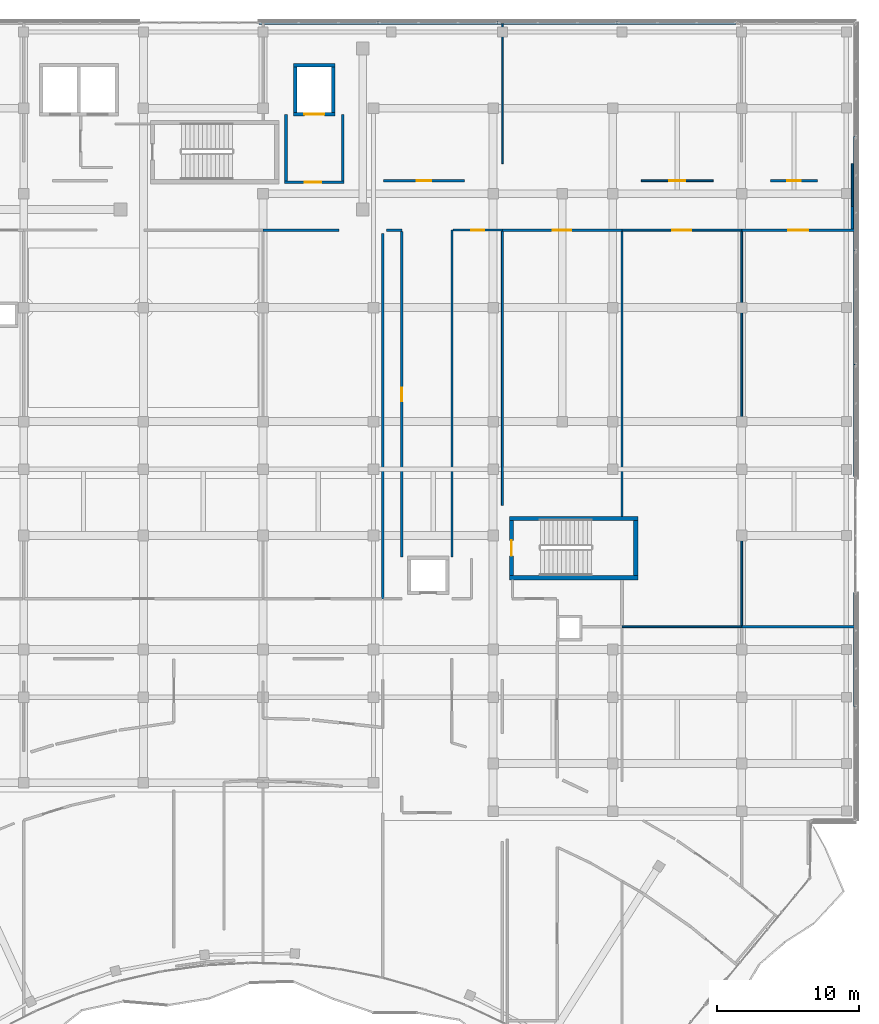
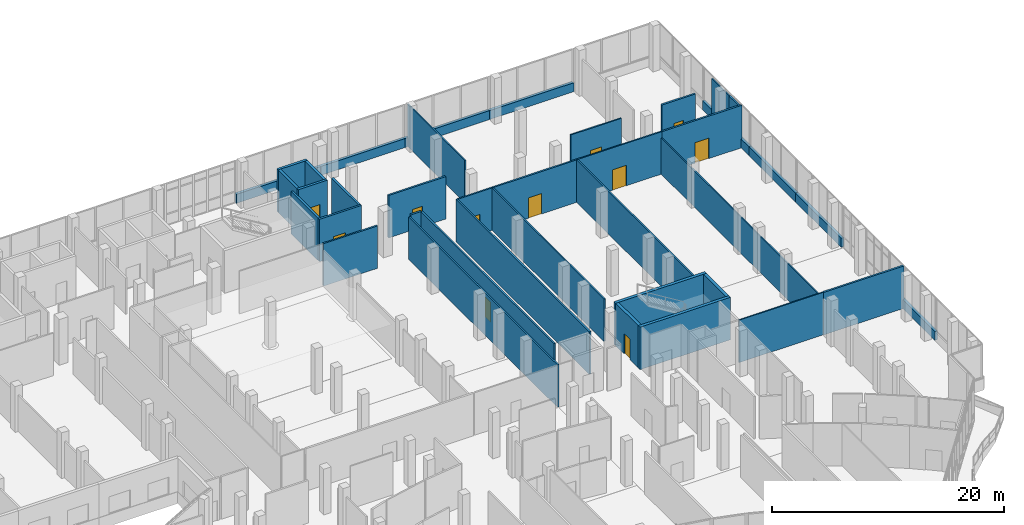
# One storey, part 141 of 155: 39 walls, 11 doors, 11 openings.
"""IFC4 building model written with IfcOpenShell, lengths in metres."""

import ifcopenshell
import ifcopenshell.guid

model = None  # the IFC model being written
_history = None  # IfcOwnerHistory: only IFC2X3 demands one
_inside = {}  # id of a spatial element -> (the spatial element, [elements in it])
_under = {}  # id of a project, library or spatial element -> (it, [spatial elements below it])
_declared = {}  # id of a project -> (the project, [libraries it declares])
_typed = {}  # id of a type object -> (the type object, [elements of that type])
_made_of = {}  # id of a material, layer set ... -> (it, [elements and type objects made of it])


def new_model(schema):
    """Start an empty IFC model of exactly this schema.

    Asked for "IFC4X3", IfcOpenShell would pick the latest addendum, in which some entities
    have other attributes; the version numbers below select the first issue.
    IFC2X3 requires an IfcOwnerHistory on every rooted entity: one is made here for all.
    """
    global model, _history
    if schema == "IFC4X3":
        model = ifcopenshell.file(schema_version=(4, 3, 0, 0))
    else:
        model = ifcopenshell.file(schema=schema)
    _inside.clear()
    _under.clear()
    _declared.clear()
    _typed.clear()
    _made_of.clear()
    _history = None
    if model.schema == "IFC2X3":
        org = make("IfcOrganization", Name="unknown")
        user = make(
            "IfcPersonAndOrganization",
            ThePerson=make("IfcPerson", FamilyName="unknown"),
            TheOrganization=org,
        )
        app = make(
            "IfcApplication",
            ApplicationDeveloper=org,
            Version="unknown",
            ApplicationFullName="unknown",
            ApplicationIdentifier="unknown",
        )
        _history = make(
            "IfcOwnerHistory",
            OwningUser=user,
            OwningApplication=app,
            ChangeAction="ADDED",
            CreationDate=0,
        )
    return model


def make(cls, **values):
    """One entity of the class cls with the attributes given. An attribute that is None is left unset."""
    return model.create_entity(
        cls, **{name: value for name, value in values.items() if value is not None}
    )


def rooted(cls, **values):
    """An entity with a GlobalId (a new one), such as an element, a storey or a relation."""
    return make(cls, GlobalId=ifcopenshell.guid.new(), OwnerHistory=_history, **values)


def si_unit(unit_type, name, prefix=None):
    """IfcSIUnit, for example si_unit("LENGTHUNIT", "METRE", prefix="MILLI")."""
    return make("IfcSIUnit", UnitType=unit_type, Prefix=prefix, Name=name)


def assignment(units):
    """IfcUnitAssignment: the units of a project."""
    return None if units is None else make("IfcUnitAssignment", Units=units)


def point(xyz):
    """IfcCartesianPoint."""
    return None if xyz is None else make("IfcCartesianPoint", Coordinates=xyz)


def direction(xyz):
    """IfcDirection."""
    return None if xyz is None else make("IfcDirection", DirectionRatios=xyz)


def frame(location, z_axis=None, x_axis=None):
    """IfcAxis2Placement3D, a coordinate frame: its origin and axes. An axis left out is left unset."""
    return make(
        "IfcAxis2Placement3D",
        Location=point(location),
        Axis=direction(z_axis),
        RefDirection=direction(x_axis),
    )


def frame_2d(location, x_axis=None):
    """IfcAxis2Placement2D, a coordinate frame in the plane: its origin and x axis."""
    return make(
        "IfcAxis2Placement2D", Location=point(location), RefDirection=direction(x_axis)
    )


def origin():
    """The frame at (0, 0, 0) with its axes left unset."""
    return frame((0.0, 0.0, 0.0))


def place(relative_to, where):
    """IfcLocalPlacement: puts the frame where relative to a parent placement (None: the world)."""
    return make(
        "IfcLocalPlacement", PlacementRelTo=relative_to, RelativePlacement=where
    )


def context(
    kind, dimensions, precision=None, world=None, true_north=None, identifier=None
):
    """IfcGeometricRepresentationContext, for example the 3D "Model" context."""
    return make(
        "IfcGeometricRepresentationContext",
        ContextIdentifier=identifier,
        ContextType=kind,
        CoordinateSpaceDimension=dimensions,
        Precision=precision,
        WorldCoordinateSystem=world,
        TrueNorth=true_north,
    )


def subcontext(parent, identifier, kind, view, scale=None):
    """IfcGeometricRepresentationSubContext, for example "Body" below "Model"."""
    return make(
        "IfcGeometricRepresentationSubContext",
        ContextIdentifier=identifier,
        ContextType=kind,
        ParentContext=parent,
        TargetScale=scale,
        TargetView=view,
    )


def project(units=None, contexts=None):
    """IfcProject with its units and contexts."""
    return rooted(
        "IfcProject",
        Name="project",
        RepresentationContexts=contexts,
        UnitsInContext=assignment(units),
    )


def spatial(cls, under=None, at=None, **own):
    """A site, building, storey or space (cls), placed at a placement, below another one or the project."""
    s = rooted(cls, ObjectPlacement=at, **own)
    if under is not None:
        _under.setdefault(under.id(), (under, []))[1].append(s)
    return s


def profile(cls, at=None, kind="AREA", **sizes):
    """A parametric profile (cls). Its sizes go by their IFC names, for example OverallWidth=200.0."""
    return make(cls, ProfileType=kind, Position=at, **sizes)


def rectangle(**sizes):
    """IfcRectangleProfileDef."""
    return profile("IfcRectangleProfileDef", **sizes)


def extrude(swept, where, along, depth):
    """IfcExtrudedAreaSolid: the profile swept, set in the frame where, extruded along a direction by depth."""
    return make(
        "IfcExtrudedAreaSolid",
        SweptArea=swept,
        Position=where,
        ExtrudedDirection=direction(along),
        Depth=depth,
    )


def shape(context_of_items, identifier, shape_type, items):
    """IfcShapeRepresentation: the items that make up one representation, for example the "Body"."""
    return make(
        "IfcShapeRepresentation",
        ContextOfItems=context_of_items,
        RepresentationIdentifier=identifier,
        RepresentationType=shape_type,
        Items=items,
    )


def material(Name=None, Category=None):
    """IfcMaterial."""
    return make("IfcMaterial", Name=Name, Category=Category)


def layer(
    of_material, thickness, ventilated=None, Name=None, Category=None, Priority=None
):
    """IfcMaterialLayer: one layer of a wall or slab, of a material (None: an air gap)."""
    return make(
        "IfcMaterialLayer",
        Material=of_material,
        LayerThickness=thickness,
        IsVentilated=ventilated,
        Name=Name,
        Category=Category,
        Priority=Priority,
    )


def layer_set(layers, Name=None):
    """IfcMaterialLayerSet."""
    return make("IfcMaterialLayerSet", MaterialLayers=layers, LayerSetName=Name)


def made_of(thing, what):
    """Note that an element or type object is made of a material, layer set ...; save() writes the relation."""
    if what is not None:
        _made_of.setdefault(what.id(), (what, []))[1].append(thing)
    return thing


def type_object(cls, material=None, **own):
    """A type object (cls), such as IfcWallType, which elements share."""
    return made_of(rooted(cls, **own), material)


def element(
    cls,
    number,
    at=None,
    inside=None,
    cuts=None,
    type_object=None,
    material=None,
    context=None,
    identifier="Body",
    shape_type=None,
    held_by="IfcProductDefinitionShape",
    body=None,
    shapes=None,
    **own,
):
    """One element of the class cls, such as IfcWall. Its Tag is "e" and its number.

    at: its placement. inside: the storey or other place that contains it. cuts: it is an
    opening in that element (IfcRelVoidsElement). A single representation is given by context,
    identifier, shape_type and body (its items); several are given by shapes. held_by: the class
    of the entity that holds the representations. save() writes the other relations.
    """
    e = rooted(cls, Tag="e%d" % number, ObjectPlacement=at, **own)
    if body is not None:
        shapes = [shape(context, identifier, shape_type, body)]
    if shapes is not None:
        e.Representation = make(held_by, Representations=shapes)
    if inside is not None:
        _inside.setdefault(inside.id(), (inside, []))[1].append(e)
    if cuts is not None:
        rooted(
            "IfcRelVoidsElement", RelatingBuildingElement=cuts, RelatedOpeningElement=e
        )
    if type_object is not None:
        _typed.setdefault(type_object.id(), (type_object, []))[1].append(e)
    return made_of(e, material)


def fill(opening, filler):
    """IfcRelFillsElement: the door or window that sits in an opening."""
    return rooted(
        "IfcRelFillsElement",
        RelatingOpeningElement=opening,
        RelatedBuildingElement=filler,
    )


def aggregate(whole, parts):
    """IfcRelAggregates: a whole, such as a stair, and the parts it consists of."""
    return rooted("IfcRelAggregates", RelatingObject=whole, RelatedObjects=parts)


def save(model, path):
    """Write the relations noted so far, then the file.

    IfcRelAggregates (storeys below a building ...), IfcRelContainedInSpatialStructure (elements
    in a storey), IfcRelDefinesByType, IfcRelAssociatesMaterial and IfcRelDeclares: one each for
    every whole, place, type object, material and project.
    """
    for whole, parts in _under.values():
        aggregate(whole, parts)
    for where, things in _inside.values():
        rooted(
            "IfcRelContainedInSpatialStructure",
            RelatedElements=things,
            RelatingStructure=where,
        )
    for kind, things in _typed.values():
        rooted("IfcRelDefinesByType", RelatedObjects=things, RelatingType=kind)
    for what, things in _made_of.values():
        rooted("IfcRelAssociatesMaterial", RelatedObjects=things, RelatingMaterial=what)
    for by, libraries in _declared.values():
        rooted("IfcRelDeclares", RelatingContext=by, RelatedDefinitions=libraries)
    model.write(path)


model = new_model("IFC4")

# Units and contexts
model_context = context("Model", 3, precision=1e-05, world=origin(), true_north=direction((0.0, 1.0)))
body_context = subcontext(model_context, "Body", "Model", "MODEL_VIEW")
ifc_project = project(units=[si_unit("LENGTHUNIT", "METRE"), si_unit("AREAUNIT", "SQUARE_METRE"), si_unit("VOLUMEUNIT", "CUBIC_METRE"), si_unit("PLANEANGLEUNIT", "RADIAN"), si_unit("MASSUNIT", "GRAM", prefix="KILO")], contexts=[model_context])

# Site, building, storey
site_placement = place(None, origin())
site = spatial("IfcSite", under=ifc_project, at=site_placement, CompositionType="ELEMENT")
building_placement = place(site_placement, origin())
building = spatial("IfcBuilding", under=site, at=building_placement, Name="Selatvlak General Hospital", CompositionType="ELEMENT")
storey_placement = place(building_placement, frame((0.0, 0.0, 10.199951171875)))
storey = spatial("IfcBuildingStorey", under=building, at=storey_placement, Name="L02", CompositionType="ELEMENT", Elevation=10.199951171875)

# Walls
ifc_material_1 = material(Name="Precast concrete C40/50 - white Bauhaus spandrel", Category="concrete")
ifc_layer_1 = layer(ifc_material_1, 0.280029296875, Name="Precast concrete C40/50 - white Bauhaus spandrel", Category="concrete")
ifc_layer_set_1 = layer_set([ifc_layer_1], Name="Precast concrete C40/50 - white Bauhaus spandrel")
wall_type_1 = type_object("IfcWallType", Name="WALL-EW-02", PredefinedType="SOLIDWALL", material=ifc_layer_set_1)
for number, where, z_axis, x_axis, name in (
    (1, (140.10107421875, 120.0, 0.0), (0.0, 0.0, 1.0), (1.0, 0.0, 0.0), "L02 Bauhaus spandrel sill wall 0302"),
    (2, (148.48095703125, 120.0, 0.0), (0.0, 0.0, 1.0), (1.0, 0.0, 0.0), "L02 Bauhaus spandrel sill wall 0303"),
    (3, (156.861083984375, 120.0, 0.0), (0.0, 0.0, 1.0), (1.0, 0.0, 0.0), "L02 Bauhaus spandrel sill wall 0304"),
    (4, (165.240966796875, 120.0, 0.0), (0.0, 0.0, 1.0), (1.0, 0.0, 0.0), "L02 Bauhaus spandrel sill wall 0305"),
):
    element("IfcWall", number, at=place(storey_placement, frame(where, z_axis=z_axis, x_axis=x_axis)), inside=storey, type_object=wall_type_1, Name=name, PredefinedType="SOLIDWALL", context=body_context, shape_type="SweptSolid", body=[
        extrude(rectangle(XDim=8.3759765625, YDim=0.280029296875, at=frame_2d((4.18798828125, 0.0))), origin(), (0.0, 0.0, 1.0), 0.93994140625),
    ])
wall_1_placement = place(storey_placement, frame((181.9990234375, 111.998046875, 0.0), z_axis=(0.0, 0.0, 1.0), x_axis=(0.000122144863, -0.99999999254, 0.0)))
element("IfcWall", 5, at=wall_1_placement, inside=storey, type_object=wall_type_1, Name="L02 Bauhaus spandrel sill wall 0308", PredefinedType="SOLIDWALL", context=body_context, shape_type="SweptSolid", body=[
    extrude(rectangle(XDim=7.9951171875, YDim=0.280029296875, at=frame_2d((3.99755859375, 0.0))), origin(), (0.0, 0.0, 1.0), 0.93994140625),
])
wall_2_placement = place(storey_placement, frame((182.0, 103.9990234375, 0.0), z_axis=(0.0, 0.0, 1.0), x_axis=(0.0, -1.0, 0.0)))
element("IfcWall", 6, at=wall_2_placement, inside=storey, type_object=wall_type_1, Name="L02 Bauhaus spandrel sill wall 0309", PredefinedType="SOLIDWALL", context=body_context, shape_type="SweptSolid", body=[
    extrude(rectangle(XDim=7.99609375, YDim=0.280029296875, at=frame_2d((3.998046875, 0.0))), origin(), (0.0, 0.0, 1.0), 0.93994140625),
])
wall_3_placement = place(storey_placement, frame((182.0, 95.9990234375, 0.0), z_axis=(0.0, 0.0, 1.0), x_axis=(0.0, -1.0, 0.0)))
element("IfcWall", 7, at=wall_3_placement, inside=storey, type_object=wall_type_1, Name="L02 Bauhaus spandrel sill wall 0310", PredefinedType="SOLIDWALL", context=body_context, shape_type="SweptSolid", body=[
    extrude(rectangle(XDim=7.85791015625, YDim=0.280029296875, at=frame_2d((3.928955078125, 0.0))), origin(), (0.0, 0.0, 1.0), 0.93994140625),
])
wall_4_placement = place(storey_placement, frame((182.0, 79.9990234375, 0.0), z_axis=(0.0, 0.0, 1.0), x_axis=(0.0, -1.0, 0.0)))
element("IfcWall", 8, at=wall_4_placement, inside=storey, type_object=wall_type_1, Name="L02 Bauhaus spandrel sill wall 0311", PredefinedType="SOLIDWALL", context=body_context, shape_type="SweptSolid", body=[
    extrude(rectangle(XDim=7.99609375, YDim=0.280029296875, at=frame_2d((3.998046875, 0.0))), origin(), (0.0, 0.0, 1.0), 0.93994140625),
])

# Wall, opening, door
ifc_material_2 = material(Name="Concrete C40/50", Category="concrete")
ifc_layer_2 = layer(ifc_material_2, 0.199951171875, Name="Concrete C40/50", Category="concrete")
ifc_layer_set_2 = layer_set([ifc_layer_2], Name="Concrete C40/50")
wall_type_2 = type_object("IfcWallType", Name="WALL-IW-02", PredefinedType="SOLIDWALL", material=ifc_layer_set_2)
wall_5_placement = place(storey_placement, frame((141.89990234375, 108.800048828125, 0.0), z_axis=(0.0, 0.0, 1.0), x_axis=(1.0, 0.0, 0.0)))
wall_5 = element("IfcWall", 9, at=wall_5_placement, inside=storey, type_object=wall_type_2, Name="Firefighting lobby C4 wall L02 S", PredefinedType="SOLIDWALL", context=body_context, shape_type="SweptSolid", body=[
    extrude(rectangle(XDim=4.2001953125, YDim=0.199951171875, at=frame_2d((2.10009765625, 0.0))), origin(), (0.0, 0.0, 1.0), 4.4599609375),
])
opening_1_placement = place(wall_5_placement, frame((1.425048828125, 0.0, 0.0)))
opening_1 = element("IfcOpeningElement", 10, at=opening_1_placement, cuts=wall_5, Name="Opening D-06", PredefinedType="OPENING", context=body_context, shape_type="SweptSolid", body=[
    extrude(rectangle(XDim=1.14990234375, YDim=2.14990234375, at=frame_2d((0.574951171875, 1.074951171875))), frame((0.0, 0.10986328125, 0.0), z_axis=(0.0, -1.0, 0.0), x_axis=(1.0, 0.0, 0.0)), (0.0, 0.0, 1.0), 0.219970703125),
])
ifc_material_3 = material(Name="Firefighting lobby fire door")
door_type_1 = type_object("IfcDoorType", Name="DOOR-D-06", OperationType="NOTDEFINED", PredefinedType="DOOR", material=ifc_material_3)
door_1_placement = place(opening_1_placement, origin())
door_1 = element("IfcDoor", 11, at=door_1_placement, inside=storey, type_object=door_type_1, Name="Firefighting lobby C4 door on L02", OperationType="SINGLE_SWING_RIGHT", OverallHeight=2.14990234375, OverallWidth=1.14990234375, PredefinedType="DOOR", context=body_context, shape_type="SweptSolid", body=[
    extrude(rectangle(XDim=1.14990234375, YDim=2.14990234375, at=frame_2d((0.574951171875, 1.074951171875))), frame((0.0, 0.02490234375, 0.0), z_axis=(0.0, -1.0, 0.0), x_axis=(1.0, 0.0, 0.0)), (0.0, 0.0, 1.0), 0.050048828125),
])
fill(opening_1, door_1)

# Walls
for number, where, z_axis, x_axis, name in (
    (12, (146.0, 108.89990234375, 0.0), (0.0, 0.0, 1.0), (0.0, 1.0, 0.0), "Firefighting lobby C4 wall L02 E"),
    (13, (142.0, 113.550048828125, 0.0), (0.0, 0.0, 1.0), (0.0, -1.0, 0.0), "Firefighting lobby C4 wall L02 W"),
):
    element("IfcWall", number, at=place(storey_placement, frame(where, z_axis=z_axis, x_axis=x_axis)), inside=storey, type_object=wall_type_2, Name=name, PredefinedType="SOLIDWALL", context=body_context, shape_type="SweptSolid", body=[
        extrude(rectangle(XDim=4.650146484375, YDim=0.199951171875, at=frame_2d((2.3251953125, 0.0))), origin(), (0.0, 0.0, 1.0), 4.4599609375),
    ])
ifc_material_4 = material(Name="Acoustic gypsum stud partition")
ifc_layer_3 = layer(ifc_material_4, 0.179931640625, Name="Acoustic gypsum stud partition")
ifc_layer_set_3 = layer_set([ifc_layer_3], Name="Acoustic gypsum stud partition")
wall_type_3 = type_object("IfcWallType", Name="WALL-PT-01", PredefinedType="PARTITIONING", material=ifc_layer_set_3)
wall_6_placement = place(storey_placement, frame((174.0, 77.60009765625, 0.0), z_axis=(0.0, 0.0, 1.0), x_axis=(1.0, 0.0, 0.0)))
element("IfcWall", 14, at=wall_6_placement, inside=storey, type_object=wall_type_3, Name="L02 clinical partition PT-L02-1245", PredefinedType="PARTITIONING", context=body_context, shape_type="SweptSolid", body=[
    extrude(rectangle(XDim=7.9580078125, YDim=0.179931640625, at=frame_2d((3.97900390625, 0.0))), origin(), (0.0, 0.0, 1.0), 4.4599609375),
])
wall_7_placement = place(storey_placement, frame((149.055908203125, 105.43994140625, 0.0), z_axis=(0.0, 0.0, 1.0), x_axis=(1.0, 0.0, 0.0)))
element("IfcWall", 15, at=wall_7_placement, inside=storey, type_object=wall_type_3, Name="L02 clinical partition PT-L02-1315", PredefinedType="PARTITIONING", context=body_context, shape_type="SweptSolid", body=[
    extrude(rectangle(XDim=1.083984375, YDim=0.179931640625, at=frame_2d((0.5419921875, 0.0))), origin(), (0.0, 0.0, 1.0), 4.4599609375),
])

# Wall, opening, door
wall_8_placement = place(storey_placement, frame((174.0, 105.43994140625, 0.0), z_axis=(0.0, 0.0, 1.0), x_axis=(1.0, 0.0, 0.0)))
wall_8 = element("IfcWall", 16, at=wall_8_placement, inside=storey, type_object=wall_type_3, Name="L02 clinical partition PT-L02-1325", PredefinedType="PARTITIONING", context=body_context, shape_type="SweptSolid", body=[
    extrude(rectangle(XDim=7.9580078125, YDim=0.179931640625, at=frame_2d((3.97900390625, 0.0))), origin(), (0.0, 0.0, 1.0), 4.4599609375),
])
opening_2_placement = place(wall_8_placement, frame((3.279052734375, 0.0, 0.0)))
opening_2 = element("IfcOpeningElement", 17, at=opening_2_placement, cuts=wall_8, Name="Opening D-11", PredefinedType="OPENING", context=body_context, shape_type="SweptSolid", body=[
    extrude(rectangle(XDim=1.39990234375, YDim=2.14990234375, at=frame_2d((0.699951171875, 1.074951171875))), frame((0.0, 0.099853515625, 0.0), z_axis=(0.0, -1.0, 0.0), x_axis=(1.0, 0.0, 0.0)), (0.0, 0.0, 1.0), 0.199951171875),
])
ifc_material_5 = material(Name="Inpatient suite bed door")
door_type_2 = type_object("IfcDoorType", Name="DOOR-D-11", OperationType="NOTDEFINED", PredefinedType="DOOR", material=ifc_material_5)
door_2_placement = place(opening_2_placement, origin())
door_2 = element("IfcDoor", 18, at=door_2_placement, inside=storey, type_object=door_type_2, Name="L02 Cardiac Catheterisation Lab 61 door", OperationType="SINGLE_SWING_RIGHT", OverallHeight=2.14990234375, OverallWidth=1.39990234375, PredefinedType="DOOR", context=body_context, shape_type="SweptSolid", body=[
    extrude(rectangle(XDim=1.39990234375, YDim=2.14990234375, at=frame_2d((0.699951171875, 1.074951171875))), frame((0.0, 0.02490234375, 0.0), z_axis=(0.0, -1.0, 0.0), x_axis=(1.0, 0.0, 0.0)), (0.0, 0.0, 1.0), 0.050048828125),
])
fill(opening_2, door_2)

wall_9_placement = place(storey_placement, frame((154.5390625, 108.909912109375, 0.0), z_axis=(0.0, 0.0, 1.0), x_axis=(-1.0, 0.0, 0.0)))
wall_9 = element("IfcWall", 19, at=wall_9_placement, inside=storey, type_object=wall_type_3, Name="L02 clinical partition PT-L02-1360", PredefinedType="PARTITIONING", context=body_context, shape_type="SweptSolid", body=[
    extrude(rectangle(XDim=5.675048828125, YDim=0.179931640625, at=frame_2d((2.83740234375, 0.0))), origin(), (0.0, 0.0, 1.0), 4.4599609375),
])
opening_3_placement = place(wall_9_placement, frame((2.3369140625, 0.0, 0.0)))
opening_3 = element("IfcOpeningElement", 20, at=opening_3_placement, cuts=wall_9, Name="Opening D-21", PredefinedType="OPENING", context=body_context, shape_type="SweptSolid", body=[
    extrude(rectangle(XDim=1.0, YDim=2.14990234375, at=frame_2d((0.5, 1.074951171875))), frame((0.0, 0.099853515625, 0.0), z_axis=(0.0, -1.0, 0.0), x_axis=(1.0, 0.0, 0.0)), (0.0, 0.0, 1.0), 0.199951171875),
])
ifc_material_6 = material(Name="Laboratory fire door")
door_type_3 = type_object("IfcDoorType", Name="DOOR-D-21", OperationType="NOTDEFINED", PredefinedType="DOOR", material=ifc_material_6)
door_3_placement = place(opening_3_placement, origin())
door_3 = element("IfcDoor", 21, at=door_3_placement, inside=storey, type_object=door_type_3, Name="L02 Post Anaesthesia Recovery Bay 75 door", OperationType="SINGLE_SWING_RIGHT", OverallHeight=2.14990234375, OverallWidth=1.0, PredefinedType="DOOR", context=body_context, shape_type="SweptSolid", body=[
    extrude(rectangle(XDim=1.0, YDim=2.14990234375, at=frame_2d((0.5, 1.074951171875))), frame((0.0, 0.02490234375, 0.0), z_axis=(0.0, -1.0, 0.0), x_axis=(1.0, 0.0, 0.0)), (0.0, 0.0, 1.0), 0.050048828125),
])
fill(opening_3, door_3)

wall_10_placement = place(storey_placement, frame((179.339111328125, 108.909912109375, 0.0), z_axis=(0.0, 0.0, 1.0), x_axis=(-1.0, 0.0, 0.0)))
wall_10 = element("IfcWall", 22, at=wall_10_placement, inside=storey, type_object=wall_type_3, Name="L02 clinical partition PT-L02-1365", PredefinedType="PARTITIONING", context=body_context, shape_type="SweptSolid", body=[
    extrude(rectangle(XDim=3.328125, YDim=0.179931640625, at=frame_2d((1.6640625, 0.0))), origin(), (0.0, 0.0, 1.0), 4.4599609375),
])
opening_4_placement = place(wall_10_placement, frame((1.18896484375, 0.0, 0.0)))
opening_4 = element("IfcOpeningElement", 23, at=opening_4_placement, cuts=wall_10, Name="Opening D-02", PredefinedType="OPENING", context=body_context, shape_type="SweptSolid", body=[
    extrude(rectangle(XDim=0.949951171875, YDim=2.10009765625, at=frame_2d((0.47509765625, 1.050048828125))), frame((0.0, 0.099853515625, 0.0), z_axis=(0.0, -1.0, 0.0), x_axis=(1.0, 0.0, 0.0)), (0.0, 0.0, 1.0), 0.199951171875),
])
ifc_material_7 = material(Name="Moisture-resistant en-suite door")
door_type_4 = type_object("IfcDoorType", Name="DOOR-D-02", OperationType="NOTDEFINED", PredefinedType="DOOR", material=ifc_material_7)
door_4_placement = place(opening_4_placement, origin())
door_4 = element("IfcDoor", 24, at=door_4_placement, inside=storey, type_object=door_type_4, Name="L02 Anaesthetic Pre-Op Assessment 78 door", OperationType="SINGLE_SWING_RIGHT", OverallHeight=2.10009765625, OverallWidth=0.949951171875, PredefinedType="DOOR", context=body_context, shape_type="SweptSolid", body=[
    extrude(rectangle(XDim=0.949951171875, YDim=2.10009765625, at=frame_2d((0.47509765625, 1.050048828125))), frame((0.0, 0.02490234375, 0.0), z_axis=(0.0, -1.0, 0.0), x_axis=(1.0, 0.0, 0.0)), (0.0, 0.0, 1.0), 0.050048828125),
])
fill(opening_4, door_4)

# Walls
ifc_layer_4 = layer(ifc_material_4, 0.1650390625, Name="Acoustic gypsum stud partition")
ifc_layer_set_4 = layer_set([ifc_layer_4], Name="Acoustic gypsum stud partition")
wall_type_4 = type_object("IfcWallType", Name="WALL-PT-02", PredefinedType="PARTITIONING", material=ifc_layer_set_4)
wall_11_placement = place(storey_placement, frame((140.39990234375, 105.43994140625, 0.0), z_axis=(0.0, 0.0, 1.0), x_axis=(1.0, 0.0, 0.0)))
element("IfcWall", 25, at=wall_11_placement, inside=storey, type_object=wall_type_4, Name="L02 clinical partition PT-L02-1306", PredefinedType="PARTITIONING", context=body_context, shape_type="SweptSolid", body=[
    extrude(rectangle(XDim=5.343994140625, YDim=0.1650390625, at=frame_2d((2.671875, 0.0))), origin(), (0.0, 0.0, 1.0), 4.4599609375),
])
wall_12_placement = place(storey_placement, frame((153.659912109375, 82.47998046875, 0.0), z_axis=(0.0, 0.0, 1.0), x_axis=(0.0, 1.0, 0.0)))
element("IfcWall", 26, at=wall_12_placement, inside=storey, type_object=wall_type_4, Name="L02 clinical partition PT-L02-1311", PredefinedType="PARTITIONING", context=body_context, shape_type="SweptSolid", body=[
    extrude(rectangle(XDim=22.9599609375, YDim=0.1650390625, at=frame_2d((11.47998046875, 0.0))), origin(), (0.0, 0.0, 1.0), 4.4599609375),
])

# Wall, opening, door
wall_13_placement = place(storey_placement, frame((150.139892578125, 105.35400390625, 0.0), z_axis=(0.0, 0.0, 1.0), x_axis=(0.0, -1.0, 0.0)))
wall_13 = element("IfcWall", 27, at=wall_13_placement, inside=storey, type_object=wall_type_4, Name="L02 clinical partition PT-L02-1316", PredefinedType="PARTITIONING", context=body_context, shape_type="SweptSolid", body=[
    extrude(rectangle(XDim=22.8740234375, YDim=0.1650390625, at=frame_2d((11.43701171875, 0.0))), origin(), (0.0, 0.0, 1.0), 4.4599609375),
])
opening_5_placement = place(wall_13_placement, frame((10.9619140625, 0.0, 0.0)))
opening_5 = element("IfcOpeningElement", 28, at=opening_5_placement, cuts=wall_13, Name="Opening D-02", PredefinedType="OPENING", context=body_context, shape_type="SweptSolid", body=[
    extrude(rectangle(XDim=0.949951171875, YDim=2.10009765625, at=frame_2d((0.47509765625, 1.050048828125))), frame((0.0, 0.092529296875, 0.0), z_axis=(0.0, -1.0, 0.0), x_axis=(1.0, 0.0, 0.0)), (0.0, 0.0, 1.0), 0.18505859375),
])
door_5_placement = place(opening_5_placement, origin())
door_5 = element("IfcDoor", 29, at=door_5_placement, inside=storey, type_object=door_type_4, Name="L02 Post Anaesthesia Recovery Bay 57 door", OperationType="SINGLE_SWING_RIGHT", OverallHeight=2.10009765625, OverallWidth=0.949951171875, PredefinedType="DOOR", context=body_context, shape_type="SweptSolid", body=[
    extrude(rectangle(XDim=0.949951171875, YDim=2.10009765625, at=frame_2d((0.47509765625, 1.050048828125))), frame((0.0, 0.02490234375, 0.0), z_axis=(0.0, -1.0, 0.0), x_axis=(1.0, 0.0, 0.0)), (0.0, 0.0, 1.0), 0.050048828125),
])
fill(opening_5, door_5)

wall_14_placement = place(storey_placement, frame((157.199951171875, 105.43994140625, 0.0), z_axis=(0.0, 0.0, 1.0), x_axis=(1.0, 0.0, 0.0)))
wall_14 = element("IfcWall", 30, at=wall_14_placement, inside=storey, type_object=wall_type_4, Name="L02 clinical partition PT-L02-1321", PredefinedType="PARTITIONING", context=body_context, shape_type="SweptSolid", body=[
    extrude(rectangle(XDim=8.400146484375, YDim=0.1650390625, at=frame_2d((4.2001953125, 0.0))), origin(), (0.0, 0.0, 1.0), 4.4599609375),
])
opening_6_placement = place(wall_14_placement, frame((3.550048828125, 0.0, 0.0)))
opening_6 = element("IfcOpeningElement", 31, at=opening_6_placement, cuts=wall_14, Name="Opening D-09", PredefinedType="OPENING", context=body_context, shape_type="SweptSolid", body=[
    extrude(rectangle(XDim=1.300048828125, YDim=2.14990234375, at=frame_2d((0.64990234375, 1.074951171875))), frame((0.0, 0.092529296875, 0.0), z_axis=(0.0, -1.0, 0.0), x_axis=(1.0, 0.0, 0.0)), (0.0, 0.0, 1.0), 0.18505859375),
])
ifc_material_8 = material(Name="Outpatient procedure door")
door_type_5 = type_object("IfcDoorType", Name="DOOR-D-09", OperationType="NOTDEFINED", PredefinedType="DOOR", material=ifc_material_8)
door_6_placement = place(opening_6_placement, origin())
door_6 = element("IfcDoor", 32, at=door_6_placement, inside=storey, type_object=door_type_5, Name="L02 Sterile Instrument Preparation 59 door", OperationType="SINGLE_SWING_RIGHT", OverallHeight=2.14990234375, OverallWidth=1.300048828125, PredefinedType="DOOR", context=body_context, shape_type="SweptSolid", body=[
    extrude(rectangle(XDim=1.300048828125, YDim=2.14990234375, at=frame_2d((0.64990234375, 1.074951171875))), frame((0.0, 0.02490234375, 0.0), z_axis=(0.0, -1.0, 0.0), x_axis=(1.0, 0.0, 0.0)), (0.0, 0.0, 1.0), 0.050048828125),
])
fill(opening_6, door_6)

# Walls
wall_15_placement = place(storey_placement, frame((181.760009765625, 105.52587890625, 0.0), z_axis=(0.0, 0.0, 1.0), x_axis=(0.0, 1.0, 0.0)))
element("IfcWall", 33, at=wall_15_placement, inside=storey, type_object=wall_type_4, Name="L02 clinical partition PT-L02-1326", PredefinedType="PARTITIONING", context=body_context, shape_type="SweptSolid", body=[
    extrude(rectangle(XDim=1.57421875, YDim=0.1650390625, at=frame_2d((0.787109375, 0.0))), origin(), (0.0, 0.0, 1.0), 4.4599609375),
])
ifc_layer_5 = layer(ifc_material_4, 0.14990234375, Name="Acoustic gypsum stud partition")
ifc_layer_set_5 = layer_set([ifc_layer_5], Name="Acoustic gypsum stud partition")
wall_type_5 = type_object("IfcWallType", Name="WALL-PT-03", PredefinedType="PARTITIONING", material=ifc_layer_set_5)
wall_16_placement = place(storey_placement, frame((148.800048828125, 105.18994140625, 0.0), z_axis=(0.0, 0.0, 1.0), x_axis=(0.0, -1.0, 0.0)))
element("IfcWall", 34, at=wall_16_placement, inside=storey, type_object=wall_type_5, Name="L02 clinical partition PT-L02-1307", PredefinedType="PARTITIONING", context=body_context, shape_type="SweptSolid", body=[
    extrude(rectangle(XDim=25.6298828125, YDim=0.14990234375, at=frame_2d((12.81494140625, 0.0))), origin(), (0.0, 0.0, 1.0), 4.4599609375),
])

# Wall, opening, door
wall_17_placement = place(storey_placement, frame((153.738037109375, 105.43994140625, 0.0), z_axis=(0.0, 0.0, 1.0), x_axis=(1.0, 0.0, 0.0)))
wall_17 = element("IfcWall", 35, at=wall_17_placement, inside=storey, type_object=wall_type_5, Name="L02 clinical partition PT-L02-1312", PredefinedType="PARTITIONING", context=body_context, shape_type="SweptSolid", body=[
    extrude(rectangle(XDim=3.4619140625, YDim=0.14990234375, at=frame_2d((1.73095703125, 0.0))), origin(), (0.0, 0.0, 1.0), 4.4599609375),
])
opening_7_placement = place(wall_17_placement, frame((1.281005859375, 0.0, 0.0)))
opening_7 = element("IfcOpeningElement", 36, at=opening_7_placement, cuts=wall_17, Name="Opening D-01", PredefinedType="OPENING", context=body_context, shape_type="SweptSolid", body=[
    extrude(rectangle(XDim=0.89990234375, YDim=2.10009765625, at=frame_2d((0.449951171875, 1.050048828125))), frame((0.0, 0.0849609375, 0.0), z_axis=(0.0, -1.0, 0.0), x_axis=(1.0, 0.0, 0.0)), (0.0, 0.0, 1.0), 0.169921875),
])
ifc_material_9 = material(Name="Hardwood clinical room door", Category="wood")
door_type_6 = type_object("IfcDoorType", Name="DOOR-D-01", OperationType="NOTDEFINED", PredefinedType="DOOR", material=ifc_material_9)
door_7_placement = place(opening_7_placement, origin())
door_7 = element("IfcDoor", 37, at=door_7_placement, inside=storey, type_object=door_type_6, Name="L02 Electrophysiology Lab 56 door", OperationType="SINGLE_SWING_LEFT", OverallHeight=2.10009765625, OverallWidth=0.89990234375, PredefinedType="DOOR", context=body_context, shape_type="SweptSolid", body=[
    extrude(rectangle(XDim=0.89990234375, YDim=2.10009765625, at=frame_2d((0.449951171875, 1.050048828125))), frame((0.0, 0.02490234375, 0.0), z_axis=(0.0, -1.0, 0.0), x_axis=(1.0, 0.0, 0.0)), (0.0, 0.0, 1.0), 0.050048828125),
])
fill(opening_7, door_7)

# Walls
wall_18_placement = place(storey_placement, frame((165.60009765625, 105.361083984375, 0.0), z_axis=(0.0, 0.0, 1.0), x_axis=(0.0, -1.0, 0.0)))
element("IfcWall", 38, at=wall_18_placement, inside=storey, type_object=wall_type_5, Name="L02 clinical partition PT-L02-1322", PredefinedType="PARTITIONING", context=body_context, shape_type="SweptSolid", body=[
    extrude(rectangle(XDim=20.01416015625, YDim=0.14990234375, at=frame_2d((10.007080078125, 0.0))), origin(), (0.0, 0.0, 1.0), 4.4599609375),
])
ifc_material_10 = material(Name="Moisture-resistant clinical partition")
ifc_layer_6 = layer(ifc_material_10, 0.135009765625, Name="Moisture-resistant clinical partition")
ifc_layer_set_6 = layer_set([ifc_layer_6], Name="Moisture-resistant clinical partition")
wall_type_6 = type_object("IfcWallType", Name="WALL-PT-04", PredefinedType="PARTITIONING", material=ifc_layer_set_6)
wall_19_placement = place(storey_placement, frame((157.199951171875, 105.368896484375, 0.0), z_axis=(0.0, 0.0, 1.0), x_axis=(0.0, -1.0, 0.0)))
element("IfcWall", 39, at=wall_19_placement, inside=storey, type_object=wall_type_6, Name="L02 clinical partition PT-L02-1313", PredefinedType="PARTITIONING", context=body_context, shape_type="SweptSolid", body=[
    extrude(rectangle(XDim=19.2568359375, YDim=0.135009765625, at=frame_2d((9.62841796875, 0.0))), origin(), (0.0, 0.0, 1.0), 4.4599609375),
])

# Wall, opening, door
wall_20_placement = place(storey_placement, frame((165.60009765625, 105.43994140625, 0.0), z_axis=(0.0, 0.0, 1.0), x_axis=(1.0, 0.0, 0.0)))
wall_20 = element("IfcWall", 40, at=wall_20_placement, inside=storey, type_object=wall_type_6, Name="L02 clinical partition PT-L02-1323", PredefinedType="PARTITIONING", context=body_context, shape_type="SweptSolid", body=[
    extrude(rectangle(XDim=8.39990234375, YDim=0.135009765625, at=frame_2d((4.199951171875, 0.0))), origin(), (0.0, 0.0, 1.0), 4.4599609375),
])
opening_8_placement = place(wall_20_placement, frame((3.52490234375, 0.0, 0.0)))
opening_8 = element("IfcOpeningElement", 41, at=opening_8_placement, cuts=wall_20, Name="Opening D-10", PredefinedType="OPENING", context=body_context, shape_type="SweptSolid", body=[
    extrude(rectangle(XDim=1.35009765625, YDim=2.14990234375, at=frame_2d((0.675048828125, 1.074951171875))), frame((0.0, 0.077392578125, 0.0), z_axis=(0.0, -1.0, 0.0), x_axis=(1.0, 0.0, 0.0)), (0.0, 0.0, 1.0), 0.155029296875),
])
ifc_material_11 = material(Name="Single patient bed door")
door_type_7 = type_object("IfcDoorType", Name="DOOR-D-10", OperationType="NOTDEFINED", PredefinedType="DOOR", material=ifc_material_11)
door_8_placement = place(opening_8_placement, origin())
door_8 = element("IfcDoor", 42, at=door_8_placement, inside=storey, type_object=door_type_7, Name="L02 Anaesthetic Pre-Op Assessment 60 door", OperationType="SINGLE_SWING_LEFT", OverallHeight=2.14990234375, OverallWidth=1.35009765625, PredefinedType="DOOR", context=body_context, shape_type="SweptSolid", body=[
    extrude(rectangle(XDim=1.35009765625, YDim=2.14990234375, at=frame_2d((0.675048828125, 1.074951171875))), frame((0.0, 0.02490234375, 0.0), z_axis=(0.0, -1.0, 0.0), x_axis=(1.0, 0.0, 0.0)), (0.0, 0.0, 1.0), 0.050048828125),
])
fill(opening_8, door_8)

wall_21_placement = place(storey_placement, frame((171.989013671875, 108.909912109375, 0.0), z_axis=(0.0, 0.0, 1.0), x_axis=(-1.0, 0.0, 0.0)))
wall_21 = element("IfcWall", 43, at=wall_21_placement, inside=storey, type_object=wall_type_6, Name="L02 clinical partition PT-L02-1363", PredefinedType="PARTITIONING", context=body_context, shape_type="SweptSolid", body=[
    extrude(rectangle(XDim=5.028076171875, YDim=0.135009765625, at=frame_2d((2.51416015625, 0.0))), origin(), (0.0, 0.0, 1.0), 4.4599609375),
])
opening_9_placement = place(wall_21_placement, frame((1.964111328125, 0.0, 0.0)))
opening_9 = element("IfcOpeningElement", 44, at=opening_9_placement, cuts=wall_21, Name="Opening D-22", PredefinedType="OPENING", context=body_context, shape_type="SweptSolid", body=[
    extrude(rectangle(XDim=1.10009765625, YDim=2.14990234375, at=frame_2d((0.550048828125, 1.074951171875))), frame((0.0, 0.077392578125, 0.0), z_axis=(0.0, -1.0, 0.0), x_axis=(1.0, 0.0, 0.0)), (0.0, 0.0, 1.0), 0.155029296875),
])
ifc_material_12 = material(Name="Pharmacy security fire door")
door_type_8 = type_object("IfcDoorType", Name="DOOR-D-22", OperationType="NOTDEFINED", PredefinedType="DOOR", material=ifc_material_12)
door_9_placement = place(opening_9_placement, origin())
door_9 = element("IfcDoor", 45, at=door_9_placement, inside=storey, type_object=door_type_8, Name="L02 Sterile Instrument Preparation 77 door", OperationType="SINGLE_SWING_LEFT", OverallHeight=2.14990234375, OverallWidth=1.10009765625, PredefinedType="DOOR", context=body_context, shape_type="SweptSolid", body=[
    extrude(rectangle(XDim=1.10009765625, YDim=2.14990234375, at=frame_2d((0.550048828125, 1.074951171875))), frame((0.0, 0.02490234375, 0.0), z_axis=(0.0, -1.0, 0.0), x_axis=(1.0, 0.0, 0.0)), (0.0, 0.0, 1.0), 0.050048828125),
])
fill(opening_9, door_9)

# Walls
ifc_layer_7 = layer(ifc_material_10, 0.1201171875, Name="Moisture-resistant clinical partition")
ifc_layer_set_7 = layer_set([ifc_layer_7], Name="Moisture-resistant clinical partition")
wall_type_7 = type_object("IfcWallType", Name="WALL-PT-05", PredefinedType="PARTITIONING", material=ifc_layer_set_7)
wall_22_placement = place(storey_placement, frame((165.60009765625, 77.60009765625, 0.0), z_axis=(0.0, 0.0, 1.0), x_axis=(1.0, 0.0, 0.0)))
element("IfcWall", 46, at=wall_22_placement, inside=storey, type_object=wall_type_7, Name="L02 clinical partition PT-L02-1239", PredefinedType="PARTITIONING", context=body_context, shape_type="SweptSolid", body=[
    extrude(rectangle(XDim=8.39990234375, YDim=0.1201171875, at=frame_2d((4.199951171875, 0.0))), origin(), (0.0, 0.0, 1.0), 4.4599609375),
])
wall_23_placement = place(storey_placement, frame((174.0, 105.3759765625, 0.0), z_axis=(0.0, 0.0, 1.0), x_axis=(0.0, -1.0, 0.0)))
element("IfcWall", 47, at=wall_23_placement, inside=storey, type_object=wall_type_7, Name="L02 clinical partition PT-L02-1324", PredefinedType="PARTITIONING", context=body_context, shape_type="SweptSolid", body=[
    extrude(rectangle(XDim=27.68994140625, YDim=0.1201171875, at=frame_2d((13.844970703125, 0.0))), origin(), (0.0, 0.0, 1.0), 3.81005859375),
])
wall_24_placement = place(storey_placement, frame((157.199951171875, 119.9580078125, 0.0), z_axis=(0.0, 0.0, 1.0), x_axis=(0.0, -1.0, 0.0)))
element("IfcWall", 48, at=wall_24_placement, inside=storey, type_object=wall_type_7, Name="L02 clinical partition PT-L02-1359", PredefinedType="PARTITIONING", context=body_context, shape_type="SweptSolid", body=[
    extrude(rectangle(XDim=9.845947265625, YDim=0.1201171875, at=frame_2d((4.9228515625, 0.0))), origin(), (0.0, 0.0, 1.0), 4.4599609375),
])
wall_25_placement = place(storey_placement, frame((181.760009765625, 107.10009765625, 0.0), z_axis=(0.0, 0.0, 1.0), x_axis=(0.0, 1.0, 0.0)))
element("IfcWall", 49, at=wall_25_placement, inside=storey, type_object=wall_type_7, Name="L02 clinical partition PT-L02-1364", PredefinedType="PARTITIONING", context=body_context, shape_type="SweptSolid", body=[
    extrude(rectangle(XDim=3.018798828125, YDim=0.1201171875, at=frame_2d((1.50927734375, 0.0))), origin(), (0.0, 0.0, 1.0), 4.4599609375),
])
ifc_material_13 = material(Name="Concrete C45/55", Category="concrete")
ifc_layer_8 = layer(ifc_material_13, 0.300048828125, Name="Concrete C45/55", Category="concrete")
ifc_layer_set_8 = layer_set([ifc_layer_8], Name="Concrete C45/55")
wall_type_8 = type_object("IfcWallType", Name="WALL-SW-02", PredefinedType="SHEAR", material=ifc_layer_set_8)
wall_26_placement = place(storey_placement, frame((157.68994140625, 81.0400390625, 0.0), z_axis=(0.0, 0.0, 1.0), x_axis=(1.0, 0.0, 0.0)))
element("IfcWall", 50, at=wall_26_placement, inside=storey, type_object=wall_type_8, Name="ST-06 core shear wall L02 S", PredefinedType="SHEAR", context=body_context, shape_type="SweptSolid", body=[
    extrude(rectangle(XDim=9.02001953125, YDim=0.300048828125, at=frame_2d((4.510009765625, 0.0))), origin(), (0.0, 0.0, 1.0), 4.4599609375),
])
wall_27_placement = place(storey_placement, frame((166.56005859375, 81.18994140625, 0.0), z_axis=(0.0, 0.0, 1.0), x_axis=(0.0, 1.0, 0.0)))
element("IfcWall", 51, at=wall_27_placement, inside=storey, type_object=wall_type_8, Name="ST-06 core shear wall L02 E", PredefinedType="SHEAR", context=body_context, shape_type="SweptSolid", body=[
    extrude(rectangle(XDim=3.860107421875, YDim=0.300048828125, at=frame_2d((1.93017578125, 0.0))), origin(), (0.0, 0.0, 1.0), 4.4599609375),
])
wall_28_placement = place(storey_placement, frame((166.7099609375, 85.199951171875, 0.0), z_axis=(0.0, 0.0, 1.0), x_axis=(-1.0, 0.0, 0.0)))
element("IfcWall", 52, at=wall_28_placement, inside=storey, type_object=wall_type_8, Name="ST-06 core shear wall L02 N", PredefinedType="SHEAR", context=body_context, shape_type="SweptSolid", body=[
    extrude(rectangle(XDim=9.02001953125, YDim=0.300048828125, at=frame_2d((4.510009765625, 0.0))), origin(), (0.0, 0.0, 1.0), 4.4599609375),
])

# Wall, opening, door
wall_29_placement = place(storey_placement, frame((157.840087890625, 85.050048828125, 0.0), z_axis=(0.0, 0.0, 1.0), x_axis=(0.0, -1.0, 0.0)))
wall_29 = element("IfcWall", 53, at=wall_29_placement, inside=storey, type_object=wall_type_8, Name="ST-06 core shear wall L02 W", PredefinedType="SHEAR", context=body_context, shape_type="SweptSolid", body=[
    extrude(rectangle(XDim=3.860107421875, YDim=0.300048828125, at=frame_2d((1.93017578125, 0.0))), origin(), (0.0, 0.0, 1.0), 4.4599609375),
])
opening_10_placement = place(wall_29_placement, frame((1.3798828125, 0.0, 0.0)))
opening_10 = element("IfcOpeningElement", 54, at=opening_10_placement, cuts=wall_29, Name="Opening D-05", PredefinedType="OPENING", context=body_context, shape_type="SweptSolid", body=[
    extrude(rectangle(XDim=1.10009765625, YDim=2.14990234375, at=frame_2d((0.550048828125, 1.074951171875))), frame((0.0, 0.159912109375, 0.0), z_axis=(0.0, -1.0, 0.0), x_axis=(1.0, 0.0, 0.0)), (0.0, 0.0, 1.0), 0.320068359375),
])
ifc_material_14 = material(Name="Protected stair fire door")
door_type_9 = type_object("IfcDoorType", Name="DOOR-D-05", OperationType="NOTDEFINED", PredefinedType="DOOR", material=ifc_material_14)
door_10_placement = place(opening_10_placement, origin())
door_10 = element("IfcDoor", 55, at=door_10_placement, inside=storey, type_object=door_type_9, Name="ST-06 protected stair door on L02", OperationType="SINGLE_SWING_RIGHT", OverallHeight=2.14990234375, OverallWidth=1.10009765625, PredefinedType="DOOR", context=body_context, shape_type="SweptSolid", body=[
    extrude(rectangle(XDim=1.10009765625, YDim=2.14990234375, at=frame_2d((0.550048828125, 1.074951171875))), frame((0.0, 0.02490234375, 0.0), z_axis=(0.0, -1.0, 0.0), x_axis=(1.0, 0.0, 0.0)), (0.0, 0.0, 1.0), 0.050048828125),
])
fill(opening_10, door_10)

ifc_layer_9 = layer(ifc_material_2, 0.25, Name="Concrete C40/50", Category="concrete")
ifc_layer_set_9 = layer_set([ifc_layer_9], Name="Concrete C40/50")
wall_type_9 = type_object("IfcWallType", Name="WALL-SW-03", PredefinedType="SHEAR", material=ifc_layer_set_9)
wall_30_placement = place(storey_placement, frame((142.550048828125, 113.574951171875, 0.0), z_axis=(0.0, 0.0, 1.0), x_axis=(1.0, 0.0, 0.0)))
wall_30 = element("IfcWall", 56, at=wall_30_placement, inside=storey, type_object=wall_type_9, Name="Lift LF-03 shaft wall L02 S", PredefinedType="SHEAR", context=body_context, shape_type="SweptSolid", body=[
    extrude(rectangle(XDim=2.89990234375, YDim=0.25, at=frame_2d((1.449951171875, 0.0))), origin(), (0.0, 0.0, 1.0), 4.4599609375),
])
opening_11_placement = place(wall_30_placement, frame((0.75, 0.0, 0.0)))
opening_11 = element("IfcOpeningElement", 57, at=opening_11_placement, cuts=wall_30, Name="Opening LD-F1", PredefinedType="OPENING", context=body_context, shape_type="SweptSolid", body=[
    extrude(rectangle(XDim=1.39990234375, YDim=2.14990234375, at=frame_2d((0.699951171875, 1.074951171875))), frame((0.0, 0.135009765625, 0.0), z_axis=(0.0, -1.0, 0.0), x_axis=(1.0, 0.0, 0.0)), (0.0, 0.0, 1.0), 0.27001953125),
])
ifc_material_15 = material(Name="Stainless steel fire lift landing door", Category="steel")
door_type_10 = type_object("IfcDoorType", Name="DOOR-LD-F1", OperationType="DOUBLE_DOOR_SLIDING", PredefinedType="DOOR", material=ifc_material_15)
door_11_placement = place(opening_11_placement, origin())
door_11 = element("IfcDoor", 58, at=door_11_placement, inside=storey, type_object=door_type_10, Name="Lift LF-03 sliding landing door on L02", OperationType="DOUBLE_DOOR_SLIDING", OverallHeight=2.14990234375, OverallWidth=1.39990234375, PredefinedType="DOOR", context=body_context, shape_type="SweptSolid", body=[
    extrude(rectangle(XDim=1.39990234375, YDim=2.14990234375, at=frame_2d((0.699951171875, 1.074951171875))), frame((0.0, 0.02490234375, 0.0), z_axis=(0.0, -1.0, 0.0), x_axis=(1.0, 0.0, 0.0)), (0.0, 0.0, 1.0), 0.050048828125),
])
fill(opening_11, door_11)

# Walls
wall_31_placement = place(storey_placement, frame((145.324951171875, 113.699951171875, 0.0), z_axis=(0.0, 0.0, 1.0), x_axis=(0.0, 1.0, 0.0)))
element("IfcWall", 59, at=wall_31_placement, inside=storey, type_object=wall_type_9, Name="Lift LF-03 shaft wall L02 E", PredefinedType="SHEAR", context=body_context, shape_type="SweptSolid", body=[
    extrude(rectangle(XDim=3.199951171875, YDim=0.25, at=frame_2d((1.60009765625, 0.0))), origin(), (0.0, 0.0, 1.0), 4.4599609375),
])
wall_32_placement = place(storey_placement, frame((145.449951171875, 117.02490234375, 0.0), z_axis=(0.0, 0.0, 1.0), x_axis=(-1.0, 0.0, 0.0)))
element("IfcWall", 60, at=wall_32_placement, inside=storey, type_object=wall_type_9, Name="Lift LF-03 shaft wall L02 N", PredefinedType="SHEAR", context=body_context, shape_type="SweptSolid", body=[
    extrude(rectangle(XDim=2.89990234375, YDim=0.25, at=frame_2d((1.449951171875, 0.0))), origin(), (0.0, 0.0, 1.0), 4.4599609375),
])
wall_33_placement = place(storey_placement, frame((142.675048828125, 116.89990234375, 0.0), z_axis=(0.0, 0.0, 1.0), x_axis=(0.0, -1.0, 0.0)))
element("IfcWall", 61, at=wall_33_placement, inside=storey, type_object=wall_type_9, Name="Lift LF-03 shaft wall L02 W", PredefinedType="SHEAR", context=body_context, shape_type="SweptSolid", body=[
    extrude(rectangle(XDim=3.199951171875, YDim=0.25, at=frame_2d((1.60009765625, 0.0))), origin(), (0.0, 0.0, 1.0), 4.4599609375),
])

save(model, "model.ifc")
